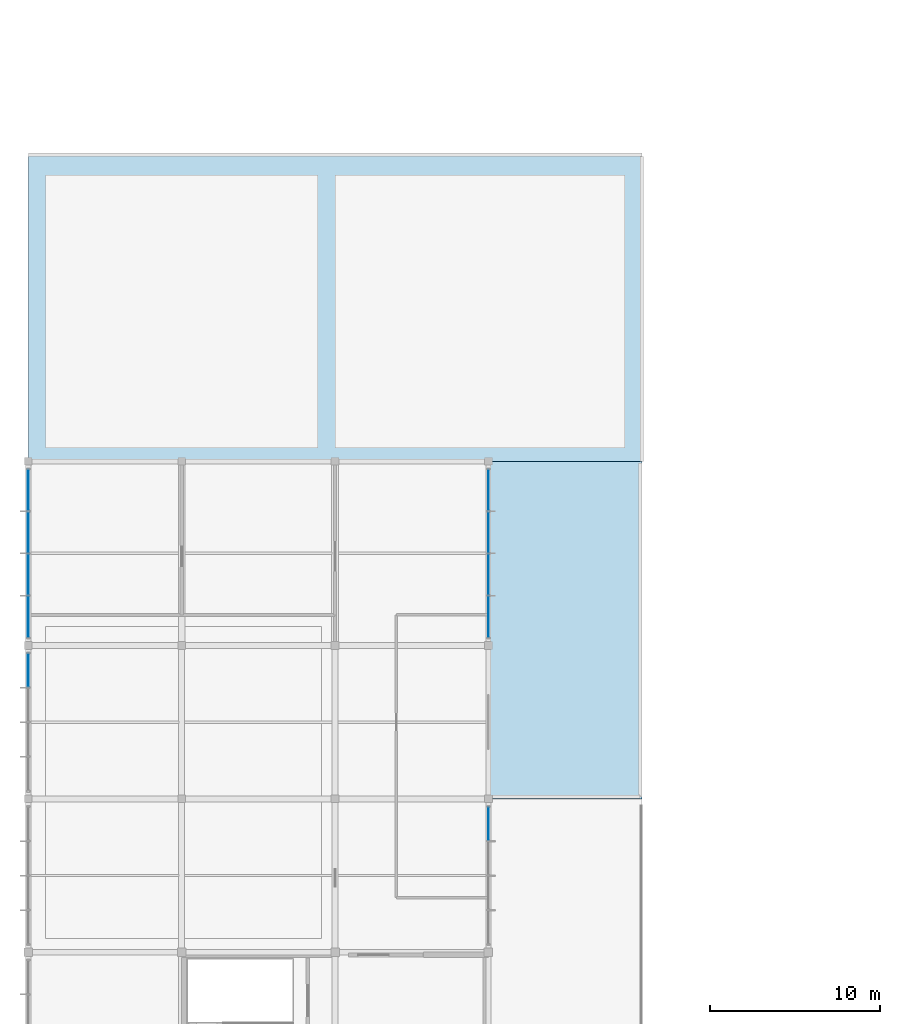
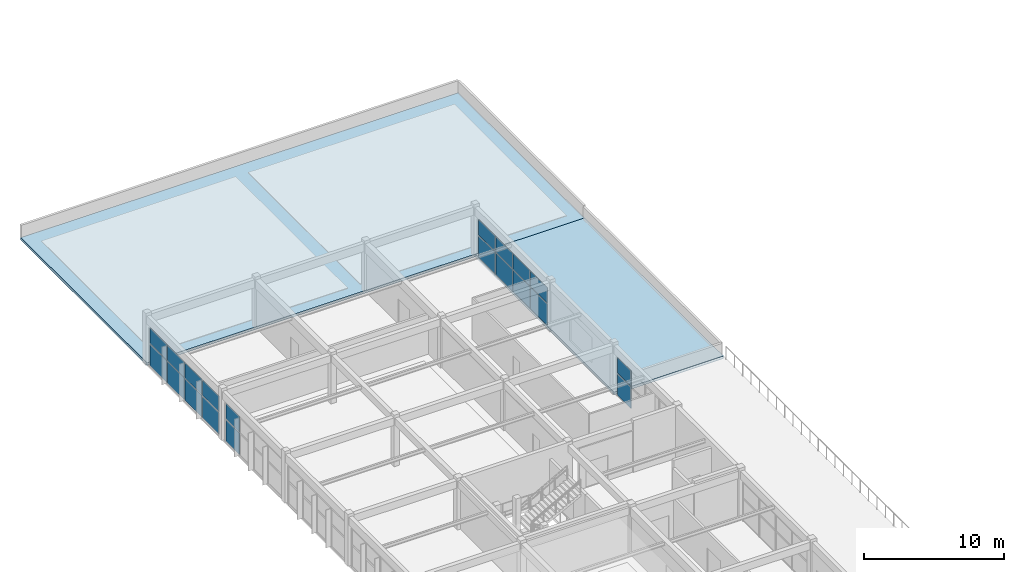
# One storey, part 12 of 22: 20 plates, 2 slabs, 4 elements without a shape of their own.
"""IFC4 building model written with IfcOpenShell, lengths in metres."""

from ifc_helpers import new_model, si_unit, direction, frame, origin, place, context, subcontext, project, spatial, polyline, outline, extrude, material, layer, layer_set, type_object, element, aggregate, save


model = new_model("IFC4")

# Units and contexts
model_context = context("Model", 3, precision=1e-05, world=origin(), true_north=direction((0.0, 1.0)))
body_context = subcontext(model_context, "Body", "Model", "MODEL_VIEW")
ifc_project = project(units=[si_unit("LENGTHUNIT", "METRE"), si_unit("AREAUNIT", "SQUARE_METRE"), si_unit("VOLUMEUNIT", "CUBIC_METRE"), si_unit("PLANEANGLEUNIT", "RADIAN"), si_unit("MASSUNIT", "GRAM", prefix="KILO")], contexts=[model_context])

# Site, building, storey
site_placement = place(None, origin())
site = spatial("IfcSite", under=ifc_project, at=site_placement, CompositionType="ELEMENT")
building_placement = place(site_placement, origin())
building = spatial("IfcBuilding", under=site, at=building_placement, Name="Suirenkawa Promenade Aquatics Centre", CompositionType="ELEMENT")
storey_placement = place(building_placement, frame((0.0, 0.0, 14.10009765625)))
storey = spatial("IfcBuildingStorey", under=building, at=storey_placement, Name="L03", CompositionType="ELEMENT", Elevation=14.10009765625)

# Curtain wall, plates
ifc_material_1 = material(Name="Anodised aluminium 6063-T6", Category="aluminium")
curtain_wall_type_1 = type_object("IfcCurtainWallType", Name="CWAT-V5EL03-78", PredefinedType="NOTDEFINED", material=ifc_material_1)
curtain_wall_1_placement = place(storey_placement, origin())
curtain_wall_1 = element("IfcCurtainWall", 1, at=curtain_wall_1_placement, inside=storey, type_object=curtain_wall_type_1, Name="Curtain wall CWA-78 CW-141", PredefinedType="NOTDEFINED")
ifc_material_2 = material(Name="Low-E thermally broken double glazing", Category="glass")
ifc_layer_1 = layer(ifc_material_2, 0.028076171875, Name="Low-E thermally broken double glazing", Category="glass")
ifc_layer_set_1 = layer_set([ifc_layer_1], Name="Low-E thermally broken double glazing")
plate_type_1 = type_object("IfcPlateType", Name="CWP-LOWE-28", PredefinedType="CURTAIN_PANEL", material=ifc_layer_set_1)
plate_1_placement = place(storey_placement, frame((27.0, 76.950927734375, 0.039794921875), z_axis=(0.0, 0.0, 1.0), x_axis=(0.0, -1.0, 0.0)))
plate_1 = element("IfcPlate", 2, at=plate_1_placement, type_object=plate_type_1, Name="Glazed panel CP-02 CWP-02875", PredefinedType="CURTAIN_PANEL", context=body_context, shape_type="SweptSolid", body=[
    extrude(outline(polyline([(0.0400390625, 0.0), (1.985595703125, 0.0), (1.985595703125, 1.8701171875), (0.0400390625, 1.8701171875), (0.0400390625, 0.0)])), frame((0.0, 0.01416015625, 0.0), z_axis=(0.0, -1.0, 0.0), x_axis=(1.0, 0.0, 0.0)), (0.0, 0.0, 1.0), 0.028076171875),
])
plate_2_placement = place(storey_placement, frame((27.0, 76.950927734375, 1.989990234375), z_axis=(0.0, 0.0, 1.0), x_axis=(0.0, -1.0, 0.0)))
plate_2 = element("IfcPlate", 3, at=plate_2_placement, type_object=plate_type_1, Name="Top glazed panel CP-02 CWP-02876", PredefinedType="CURTAIN_PANEL", context=body_context, shape_type="SweptSolid", body=[
    extrude(outline(polyline([(0.0400390625, 0.0), (1.985595703125, 0.0), (1.985595703125, 1.33984375), (0.0400390625, 1.33984375), (0.0400390625, 0.0)])), frame((0.0, 0.01416015625, 0.0), z_axis=(0.0, -1.0, 0.0), x_axis=(1.0, 0.0, 0.0)), (0.0, 0.0, 1.0), 0.028076171875),
])
aggregate(curtain_wall_1, [plate_1, plate_2])

curtain_wall_type_2 = type_object("IfcCurtainWallType", Name="CWAT-V5EL03-74", PredefinedType="NOTDEFINED", material=ifc_material_1)
curtain_wall_2_placement = place(storey_placement, origin())
curtain_wall_2 = element("IfcCurtainWall", 4, at=curtain_wall_2_placement, inside=storey, type_object=curtain_wall_type_2, Name="Curtain wall CWA-74 CW-144", PredefinedType="NOTDEFINED")
plate_3_placement = place(storey_placement, frame((27.0, 96.7509765625, 0.039794921875), z_axis=(0.0, 0.0, 1.0), x_axis=(0.0, -1.0, 0.0)))
plate_3 = element("IfcPlate", 5, at=plate_3_placement, type_object=plate_type_1, Name="Glazed panel CP-02 CWP-02941", PredefinedType="CURTAIN_PANEL", context=body_context, shape_type="SweptSolid", body=[
    extrude(outline(polyline([(0.0400390625, 0.0), (2.435546875, 0.0), (2.435546875, 1.8701171875), (0.0400390625, 1.8701171875), (0.0400390625, 0.0)])), frame((0.0, 0.01416015625, 0.0), z_axis=(0.0, -1.0, 0.0), x_axis=(1.0, 0.0, 0.0)), (0.0, 0.0, 1.0), 0.028076171875),
])
plate_4_placement = place(storey_placement, frame((27.0, 96.7509765625, 1.989990234375), z_axis=(0.0, 0.0, 1.0), x_axis=(0.0, -1.0, 0.0)))
plate_4 = element("IfcPlate", 6, at=plate_4_placement, type_object=plate_type_1, Name="Top glazed panel CP-02 CWP-02942", PredefinedType="CURTAIN_PANEL", context=body_context, shape_type="SweptSolid", body=[
    extrude(outline(polyline([(0.0400390625, 0.0), (2.435546875, 0.0), (2.435546875, 1.33984375), (0.0400390625, 1.33984375), (0.0400390625, 0.0)])), frame((0.0, 0.01416015625, 0.0), z_axis=(0.0, -1.0, 0.0), x_axis=(1.0, 0.0, 0.0)), (0.0, 0.0, 1.0), 0.028076171875),
])
plate_5_placement = place(storey_placement, frame((27.0, 94.275390625, 0.039794921875), z_axis=(0.0, 0.0, 1.0), x_axis=(0.0, -1.0, 0.0)))
plate_5 = element("IfcPlate", 7, at=plate_5_placement, type_object=plate_type_1, Name="Glazed panel CP-02 CWP-02943", PredefinedType="CURTAIN_PANEL", context=body_context, shape_type="SweptSolid", body=[
    extrude(outline(polyline([(0.0400390625, 0.0), (2.435546875, 0.0), (2.435546875, 1.8701171875), (0.0400390625, 1.8701171875), (0.0400390625, 0.0)])), frame((0.0, 0.01416015625, 0.0), z_axis=(0.0, -1.0, 0.0), x_axis=(1.0, 0.0, 0.0)), (0.0, 0.0, 1.0), 0.028076171875),
])
plate_6_placement = place(storey_placement, frame((27.0, 94.275390625, 1.989990234375), z_axis=(0.0, 0.0, 1.0), x_axis=(0.0, -1.0, 0.0)))
plate_6 = element("IfcPlate", 8, at=plate_6_placement, type_object=plate_type_1, Name="Top glazed panel CP-02 CWP-02944", PredefinedType="CURTAIN_PANEL", context=body_context, shape_type="SweptSolid", body=[
    extrude(outline(polyline([(0.0400390625, 0.0), (2.435546875, 0.0), (2.435546875, 1.33984375), (0.0400390625, 1.33984375), (0.0400390625, 0.0)])), frame((0.0, 0.01416015625, 0.0), z_axis=(0.0, -1.0, 0.0), x_axis=(1.0, 0.0, 0.0)), (0.0, 0.0, 1.0), 0.028076171875),
])
plate_7_placement = place(storey_placement, frame((27.0, 91.800048828125, 0.039794921875), z_axis=(0.0, 0.0, 1.0), x_axis=(0.0, -1.0, 0.0)))
plate_7 = element("IfcPlate", 9, at=plate_7_placement, type_object=plate_type_1, Name="Glazed panel CP-02 CWP-02945", PredefinedType="CURTAIN_PANEL", context=body_context, shape_type="SweptSolid", body=[
    extrude(outline(polyline([(0.0400390625, 0.0), (2.435546875, 0.0), (2.435546875, 1.8701171875), (0.0400390625, 1.8701171875), (0.0400390625, 0.0)])), frame((0.0, 0.01416015625, 0.0), z_axis=(0.0, -1.0, 0.0), x_axis=(1.0, 0.0, 0.0)), (0.0, 0.0, 1.0), 0.028076171875),
])
plate_8_placement = place(storey_placement, frame((27.0, 91.800048828125, 1.989990234375), z_axis=(0.0, 0.0, 1.0), x_axis=(0.0, -1.0, 0.0)))
plate_8 = element("IfcPlate", 10, at=plate_8_placement, type_object=plate_type_1, Name="Top glazed panel CP-02 CWP-02946", PredefinedType="CURTAIN_PANEL", context=body_context, shape_type="SweptSolid", body=[
    extrude(outline(polyline([(0.0400390625, 0.0), (2.435546875, 0.0), (2.435546875, 1.33984375), (0.0400390625, 1.33984375), (0.0400390625, 0.0)])), frame((0.0, 0.01416015625, 0.0), z_axis=(0.0, -1.0, 0.0), x_axis=(1.0, 0.0, 0.0)), (0.0, 0.0, 1.0), 0.028076171875),
])
plate_9_placement = place(storey_placement, frame((27.0, 89.324462890625, 0.039794921875), z_axis=(0.0, 0.0, 1.0), x_axis=(0.0, -1.0, 0.0)))
plate_9 = element("IfcPlate", 11, at=plate_9_placement, type_object=plate_type_1, Name="Glazed panel CP-02 CWP-02947", PredefinedType="CURTAIN_PANEL", context=body_context, shape_type="SweptSolid", body=[
    extrude(outline(polyline([(0.0400390625, 0.0), (2.435546875, 0.0), (2.435546875, 1.8701171875), (0.0400390625, 1.8701171875), (0.0400390625, 0.0)])), frame((0.0, 0.01416015625, 0.0), z_axis=(0.0, -1.0, 0.0), x_axis=(1.0, 0.0, 0.0)), (0.0, 0.0, 1.0), 0.028076171875),
])
plate_10_placement = place(storey_placement, frame((27.0, 89.324462890625, 1.989990234375), z_axis=(0.0, 0.0, 1.0), x_axis=(0.0, -1.0, 0.0)))
plate_10 = element("IfcPlate", 12, at=plate_10_placement, type_object=plate_type_1, Name="Top glazed panel CP-02 CWP-02948", PredefinedType="CURTAIN_PANEL", context=body_context, shape_type="SweptSolid", body=[
    extrude(outline(polyline([(0.0400390625, 0.0), (2.435546875, 0.0), (2.435546875, 1.33984375), (0.0400390625, 1.33984375), (0.0400390625, 0.0)])), frame((0.0, 0.01416015625, 0.0), z_axis=(0.0, -1.0, 0.0), x_axis=(1.0, 0.0, 0.0)), (0.0, 0.0, 1.0), 0.028076171875),
])
aggregate(curtain_wall_2, [plate_3, plate_4, plate_5, plate_6, plate_7, plate_8, plate_9, plate_10])

curtain_wall_type_3 = type_object("IfcCurtainWallType", Name="CWAT-V5WL03-71", PredefinedType="NOTDEFINED", material=ifc_material_1)
curtain_wall_3_placement = place(storey_placement, origin())
curtain_wall_3 = element("IfcCurtainWall", 13, at=curtain_wall_3_placement, inside=storey, type_object=curtain_wall_type_3, Name="Curtain wall CWA-71 CW-142", PredefinedType="NOTDEFINED")
ifc_material_3 = material(Name="Ceramic-fritted low-SHGC double glazing", Category="glass")
ifc_layer_2 = layer(ifc_material_3, 0.035888671875, Name="Ceramic-fritted low-SHGC double glazing", Category="glass")
ifc_layer_set_2 = layer_set([ifc_layer_2], Name="Ceramic-fritted low-SHGC double glazing")
plate_type_2 = type_object("IfcPlateType", Name="CWP-SHOJI-36", PredefinedType="CURTAIN_PANEL", material=ifc_layer_set_2)
plate_11_placement = place(storey_placement, frame((0.0, 83.925537109375, 0.039794921875), z_axis=(0.0, 0.0, 1.0), x_axis=(0.0, 1.0, 0.0)))
plate_11 = element("IfcPlate", 14, at=plate_11_placement, type_object=plate_type_2, Name="Glazed panel CP-01 CWP-02903", PredefinedType="CURTAIN_PANEL", context=body_context, shape_type="SweptSolid", body=[
    extrude(outline(polyline([(0.0400390625, 0.0), (1.985595703125, 0.0), (1.985595703125, 1.8701171875), (0.0400390625, 1.8701171875), (0.0400390625, 0.0)])), frame((0.0, 0.01806640625, 0.0), z_axis=(0.0, -1.0, 0.0), x_axis=(1.0, 0.0, 0.0)), (0.0, 0.0, 1.0), 0.035888671875),
])
plate_12_placement = place(storey_placement, frame((0.0, 83.925537109375, 1.989990234375), z_axis=(0.0, 0.0, 1.0), x_axis=(0.0, 1.0, 0.0)))
plate_12 = element("IfcPlate", 15, at=plate_12_placement, type_object=plate_type_2, Name="Top glazed panel CP-01 CWP-02904", PredefinedType="CURTAIN_PANEL", context=body_context, shape_type="SweptSolid", body=[
    extrude(outline(polyline([(0.0400390625, 0.0), (1.985595703125, 0.0), (1.985595703125, 1.33984375), (0.0400390625, 1.33984375), (0.0400390625, 0.0)])), frame((0.0, 0.01806640625, 0.0), z_axis=(0.0, -1.0, 0.0), x_axis=(1.0, 0.0, 0.0)), (0.0, 0.0, 1.0), 0.035888671875),
])
aggregate(curtain_wall_3, [plate_11, plate_12])

curtain_wall_type_4 = type_object("IfcCurtainWallType", Name="CWAT-V5WL03-73", PredefinedType="NOTDEFINED", material=ifc_material_1)
curtain_wall_4_placement = place(storey_placement, origin())
curtain_wall_4 = element("IfcCurtainWall", 16, at=curtain_wall_4_placement, inside=storey, type_object=curtain_wall_type_4, Name="Curtain wall CWA-73 CW-143", PredefinedType="NOTDEFINED")
plate_13_placement = place(storey_placement, frame((0.0, 86.84912109375, 0.039794921875), z_axis=(0.0, 0.0, 1.0), x_axis=(0.0, 1.0, 0.0)))
plate_13 = element("IfcPlate", 17, at=plate_13_placement, type_object=plate_type_2, Name="Glazed panel CP-01 CWP-02919", PredefinedType="CURTAIN_PANEL", context=body_context, shape_type="SweptSolid", body=[
    extrude(outline(polyline([(0.0400390625, 0.0), (2.435546875, 0.0), (2.435546875, 1.8701171875), (0.0400390625, 1.8701171875), (0.0400390625, 0.0)])), frame((0.0, 0.01806640625, 0.0), z_axis=(0.0, -1.0, 0.0), x_axis=(1.0, 0.0, 0.0)), (0.0, 0.0, 1.0), 0.035888671875),
])
plate_14_placement = place(storey_placement, frame((0.0, 86.84912109375, 1.989990234375), z_axis=(0.0, 0.0, 1.0), x_axis=(0.0, 1.0, 0.0)))
plate_14 = element("IfcPlate", 18, at=plate_14_placement, type_object=plate_type_2, Name="Top glazed panel CP-01 CWP-02920", PredefinedType="CURTAIN_PANEL", context=body_context, shape_type="SweptSolid", body=[
    extrude(outline(polyline([(0.0400390625, 0.0), (2.435546875, 0.0), (2.435546875, 1.33984375), (0.0400390625, 1.33984375), (0.0400390625, 0.0)])), frame((0.0, 0.01806640625, 0.0), z_axis=(0.0, -1.0, 0.0), x_axis=(1.0, 0.0, 0.0)), (0.0, 0.0, 1.0), 0.035888671875),
])
plate_15_placement = place(storey_placement, frame((0.0, 89.324462890625, 0.039794921875), z_axis=(0.0, 0.0, 1.0), x_axis=(0.0, 1.0, 0.0)))
plate_15 = element("IfcPlate", 19, at=plate_15_placement, type_object=plate_type_2, Name="Glazed panel CP-01 CWP-02921", PredefinedType="CURTAIN_PANEL", context=body_context, shape_type="SweptSolid", body=[
    extrude(outline(polyline([(0.0400390625, 0.0), (2.435546875, 0.0), (2.435546875, 1.8701171875), (0.0400390625, 1.8701171875), (0.0400390625, 0.0)])), frame((0.0, 0.01806640625, 0.0), z_axis=(0.0, -1.0, 0.0), x_axis=(1.0, 0.0, 0.0)), (0.0, 0.0, 1.0), 0.035888671875),
])
plate_16_placement = place(storey_placement, frame((0.0, 89.324462890625, 1.989990234375), z_axis=(0.0, 0.0, 1.0), x_axis=(0.0, 1.0, 0.0)))
plate_16 = element("IfcPlate", 20, at=plate_16_placement, type_object=plate_type_2, Name="Top glazed panel CP-01 CWP-02922", PredefinedType="CURTAIN_PANEL", context=body_context, shape_type="SweptSolid", body=[
    extrude(outline(polyline([(0.0400390625, 0.0), (2.435546875, 0.0), (2.435546875, 1.33984375), (0.0400390625, 1.33984375), (0.0400390625, 0.0)])), frame((0.0, 0.01806640625, 0.0), z_axis=(0.0, -1.0, 0.0), x_axis=(1.0, 0.0, 0.0)), (0.0, 0.0, 1.0), 0.035888671875),
])
plate_17_placement = place(storey_placement, frame((0.0, 91.800048828125, 0.039794921875), z_axis=(0.0, 0.0, 1.0), x_axis=(0.0, 1.0, 0.0)))
plate_17 = element("IfcPlate", 21, at=plate_17_placement, type_object=plate_type_2, Name="Glazed panel CP-01 CWP-02923", PredefinedType="CURTAIN_PANEL", context=body_context, shape_type="SweptSolid", body=[
    extrude(outline(polyline([(0.0400390625, 0.0), (2.435546875, 0.0), (2.435546875, 1.8701171875), (0.0400390625, 1.8701171875), (0.0400390625, 0.0)])), frame((0.0, 0.01806640625, 0.0), z_axis=(0.0, -1.0, 0.0), x_axis=(1.0, 0.0, 0.0)), (0.0, 0.0, 1.0), 0.035888671875),
])
plate_18_placement = place(storey_placement, frame((0.0, 91.800048828125, 1.989990234375), z_axis=(0.0, 0.0, 1.0), x_axis=(0.0, 1.0, 0.0)))
plate_18 = element("IfcPlate", 22, at=plate_18_placement, type_object=plate_type_2, Name="Top glazed panel CP-01 CWP-02924", PredefinedType="CURTAIN_PANEL", context=body_context, shape_type="SweptSolid", body=[
    extrude(outline(polyline([(0.0400390625, 0.0), (2.435546875, 0.0), (2.435546875, 1.33984375), (0.0400390625, 1.33984375), (0.0400390625, 0.0)])), frame((0.0, 0.01806640625, 0.0), z_axis=(0.0, -1.0, 0.0), x_axis=(1.0, 0.0, 0.0)), (0.0, 0.0, 1.0), 0.035888671875),
])
plate_19_placement = place(storey_placement, frame((0.0, 94.275390625, 0.039794921875), z_axis=(0.0, 0.0, 1.0), x_axis=(0.0, 1.0, 0.0)))
plate_19 = element("IfcPlate", 23, at=plate_19_placement, type_object=plate_type_2, Name="Glazed panel CP-01 CWP-02925", PredefinedType="CURTAIN_PANEL", context=body_context, shape_type="SweptSolid", body=[
    extrude(outline(polyline([(0.0400390625, 0.0), (2.435546875, 0.0), (2.435546875, 1.8701171875), (0.0400390625, 1.8701171875), (0.0400390625, 0.0)])), frame((0.0, 0.01806640625, 0.0), z_axis=(0.0, -1.0, 0.0), x_axis=(1.0, 0.0, 0.0)), (0.0, 0.0, 1.0), 0.035888671875),
])
plate_20_placement = place(storey_placement, frame((0.0, 94.275390625, 1.989990234375), z_axis=(0.0, 0.0, 1.0), x_axis=(0.0, 1.0, 0.0)))
plate_20 = element("IfcPlate", 24, at=plate_20_placement, type_object=plate_type_2, Name="Top glazed panel CP-01 CWP-02926", PredefinedType="CURTAIN_PANEL", context=body_context, shape_type="SweptSolid", body=[
    extrude(outline(polyline([(0.0400390625, 0.0), (2.435546875, 0.0), (2.435546875, 1.33984375), (0.0400390625, 1.33984375), (0.0400390625, 0.0)])), frame((0.0, 0.01806640625, 0.0), z_axis=(0.0, -1.0, 0.0), x_axis=(1.0, 0.0, 0.0)), (0.0, 0.0, 1.0), 0.035888671875),
])
aggregate(curtain_wall_4, [plate_13, plate_14, plate_15, plate_16, plate_17, plate_18, plate_19, plate_20])

# Slabs
ifc_material_4 = material(Name="Concrete M35", Category="concrete")
ifc_layer_3 = layer(ifc_material_4, 0.22998046875, Name="Concrete M35", Category="concrete")
ifc_layer_set_3 = layer_set([ifc_layer_3], Name="Concrete M35")
slab_type = type_object("IfcSlabType", Name="SLT-ROOF-FLAT-230", PredefinedType="ROOF", material=ifc_layer_set_3)
slab_1_placement = place(storey_placement, frame((0.0, 0.0, -0.22998046875)))
element("IfcSlab", 25, at=slab_1_placement, inside=storey, type_object=slab_type, Name="V5 L03 north setback roof SL-ROOF-04 SL-0070", PredefinedType="ROOF", context=body_context, shape_type="SweptSolid", body=[
    extrude(outline(polyline([(0.0, 97.199951171875), (36.0, 97.199951171875), (36.0, 115.199951171875), (0.0, 115.199951171875), (0.0, 97.199951171875)])), origin(), (0.0, 0.0, 1.0), 0.22998046875),
])
slab_2_placement = place(storey_placement, frame((0.0, 0.0, -0.22998046875)))
element("IfcSlab", 26, at=slab_2_placement, inside=storey, type_object=slab_type, Name="V5 L03 east setback roof SL-ROOF-04 SL-0072", PredefinedType="ROOF", context=body_context, shape_type="SweptSolid", body=[
    extrude(outline(polyline([(27.0, 77.39990234375), (36.0, 77.39990234375), (36.0, 97.199951171875), (27.0, 97.199951171875), (27.0, 77.39990234375)])), origin(), (0.0, 0.0, 1.0), 0.22998046875),
])

save(model, "model.ifc")
